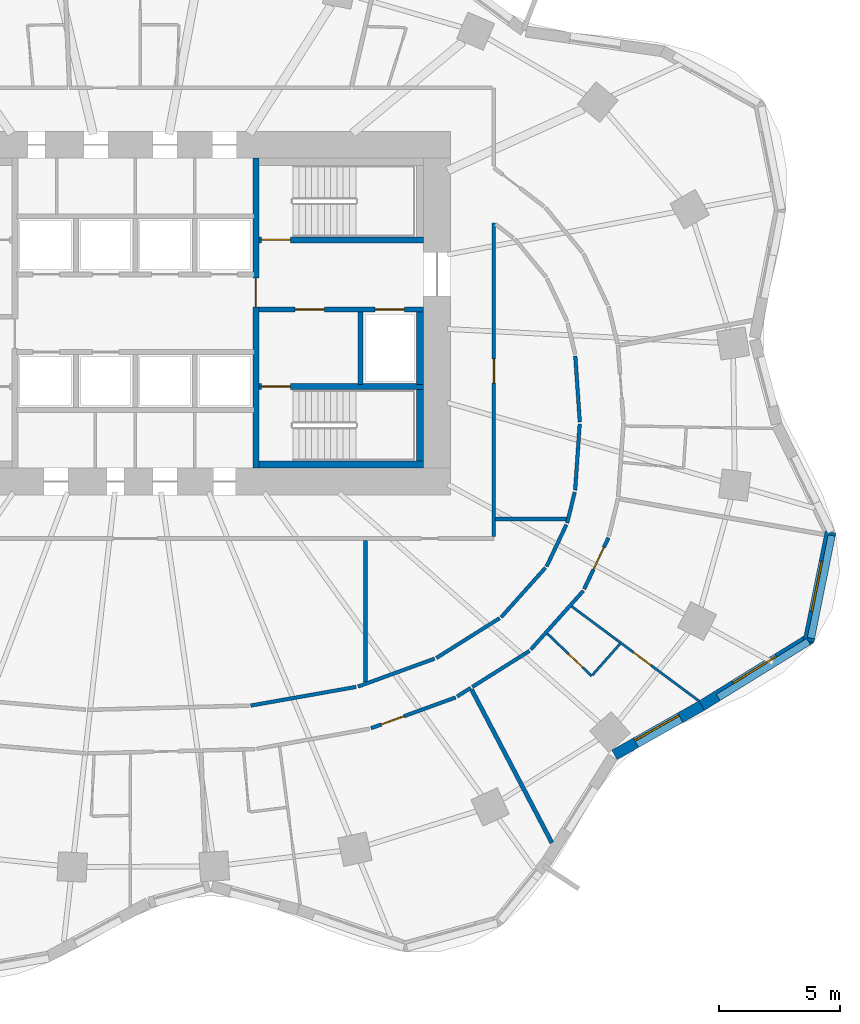
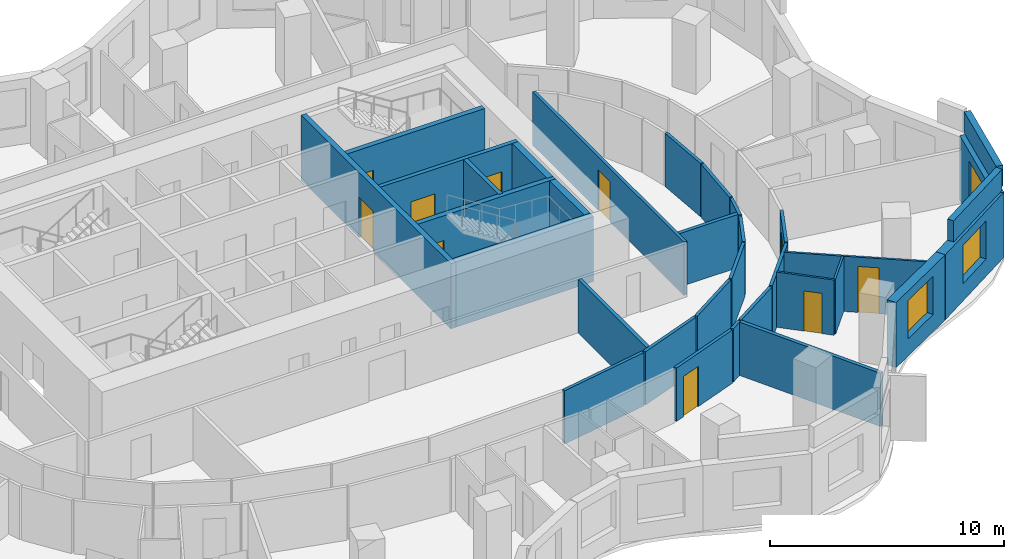
# One storey, part 6 of 10: 33 walls, 10 doors, 3 windows, 13 openings.
"""IFC4 building model written with IfcOpenShell, lengths in metres."""

from ifc_helpers import new_model, si_unit, direction, frame, frame_2d, origin, place, context, subcontext, project, spatial, rectangle, extrude, material, layer, layer_set, type_object, element, fill, save


model = new_model("IFC4")

# Units and contexts
model_context = context("Model", 3, precision=1e-05, world=origin(), true_north=direction((0.0, 1.0)))
body_context = subcontext(model_context, "Body", "Model", "MODEL_VIEW")
ifc_project = project(units=[si_unit("LENGTHUNIT", "METRE"), si_unit("AREAUNIT", "SQUARE_METRE"), si_unit("VOLUMEUNIT", "CUBIC_METRE"), si_unit("PLANEANGLEUNIT", "RADIAN"), si_unit("MASSUNIT", "GRAM", prefix="KILO")], contexts=[model_context])

# Site, building, storey
site_placement = place(None, origin())
site = spatial("IfcSite", under=ifc_project, at=site_placement, CompositionType="ELEMENT")
building_placement = place(site_placement, origin())
building = spatial("IfcBuilding", under=site, at=building_placement, Name="Rubra Terraces Tower", CompositionType="ELEMENT")
storey_placement = place(building_placement, frame((0.0, 0.0, 96.0)))
storey = spatial("IfcBuildingStorey", under=building, at=storey_placement, Name="L22", CompositionType="ELEMENT", Elevation=96.0)

# Walls
ifc_material_1 = material(Name="Twin plasterboard on staggered steel stud, acoustic mineral wool", Category="steel")
ifc_layer_1 = layer(ifc_material_1, 0.175048828125)
ifc_layer_set_1 = layer_set([ifc_layer_1], Name="Twin plasterboard on staggered steel stud, acoustic mineral wool")
wall_type_1 = type_object("IfcWallType", Name="ACOUSTIC PARTY WALL 175", PredefinedType="PARTITIONING", material=ifc_layer_set_1)
wall_1_placement = place(storey_placement, frame((17.19287109375, -17.35986328125, 0.0), z_axis=(0.0, 0.0, 1.0), x_axis=(-0.464005717448, 0.8858322043, 0.0)))
element("IfcWall", 1, at=wall_1_placement, inside=storey, type_object=wall_type_1, Name="PARTITION", PredefinedType="PARTITIONING", context=body_context, shape_type="SweptSolid", body=[
    extrude(rectangle(XDim=7.142578125, YDim=0.175048828125, at=frame_2d((3.5712890625, 0.0))), origin(), (0.0, 0.0, 1.0), 2.783935546875),
])
wall_2_placement = place(storey_placement, frame((9.5, -10.723388671875, 0.0), z_axis=(0.0, 0.0, 1.0), x_axis=(0.0, 1.0, 0.0)))
element("IfcWall", 2, at=wall_2_placement, inside=storey, type_object=wall_type_1, Name="PARTITION", PredefinedType="PARTITIONING", context=body_context, shape_type="SweptSolid", body=[
    extrude(rectangle(XDim=5.848388671875, YDim=0.175048828125, at=frame_2d((2.92431640625, 0.0))), origin(), (0.0, 0.0, 1.0), 2.783935546875),
])
wall_3_placement = place(storey_placement, frame((14.875, -4.0, 0.0), z_axis=(0.0, 0.0, 1.0), x_axis=(1.0, 0.0, 0.0)))
element("IfcWall", 3, at=wall_3_placement, inside=storey, type_object=wall_type_1, Name="PARTITION", PredefinedType="PARTITIONING", context=body_context, shape_type="SweptSolid", body=[
    extrude(rectangle(XDim=2.912109375, YDim=0.175048828125, at=frame_2d((1.4560546875, 0.0))), origin(), (0.0, 0.0, 1.0), 2.783935546875),
])

# Wall, opening, window
ifc_material_2 = material(Name="Brick masonry red-brown", Category="masonry")
ifc_layer_2 = layer(ifc_material_2, 0.449951171875)
ifc_layer_set_2 = layer_set([ifc_layer_2], Name="Brick masonry red-brown")
wall_type_2 = type_object("IfcWallType", Name="Brick facade wall 450", PredefinedType="SOLIDWALL", material=ifc_layer_set_2)
wall_4_placement = place(storey_placement, frame((19.77587890625, -13.730712890625, 0.0), z_axis=(0.0, 0.0, 1.0), x_axis=(0.870610133829, 0.491973571318, 0.0)))
wall_4 = element("IfcWall", 4, at=wall_4_placement, inside=storey, type_object=wall_type_2, Name="Facade wall L22 bay 37", PredefinedType="SOLIDWALL", context=body_context, shape_type="SweptSolid", body=[
    extrude(rectangle(XDim=4.1337890625, YDim=0.449951171875, at=frame_2d((2.06689453125, 0.0))), origin(), (0.0, 0.0, 1.0), 3.39990234375),
])
opening_1_placement = place(wall_4_placement, frame((1.016845703125, 0.0, 0.89990234375)))
opening_1 = element("IfcOpeningElement", 5, at=opening_1_placement, cuts=wall_4, Name="Opening W1", PredefinedType="OPENING", context=body_context, shape_type="SweptSolid", body=[
    extrude(rectangle(XDim=2.10009765625, YDim=2.0, at=frame_2d((1.050048828125, 1.0))), frame((0.0, 0.23486328125, 0.0), z_axis=(0.0, -1.0, 0.0), x_axis=(1.0, 0.0, 0.0)), (0.0, 0.0, 1.0), 0.469970703125),
])
ifc_material_3 = material(Name="Clear glass in aluminium frame", Category="aluminium")
window_type = type_object("IfcWindowType", Name="Fixed deep-set window 2100 x 2000", PartitioningType="SINGLE_PANEL", PredefinedType="WINDOW", material=ifc_material_3)
window_1_placement = place(opening_1_placement, origin())
window_1 = element("IfcWindow", 6, at=window_1_placement, inside=storey, type_object=window_type, Name="Window L22 bay 37", OverallHeight=2.0, OverallWidth=2.10009765625, PartitioningType="SINGLE_PANEL", PredefinedType="WINDOW", context=body_context, shape_type="SweptSolid", body=[
    extrude(rectangle(XDim=2.10009765625, YDim=2.0, at=frame_2d((1.050048828125, 1.0))), frame((0.0, 0.135009765625, 0.0), z_axis=(0.0, -1.0, 0.0), x_axis=(1.0, 0.0, 0.0)), (0.0, 0.0, 1.0), 0.06005859375),
])
fill(opening_1, window_1)

wall_5_placement = place(storey_placement, frame((23.368408203125, -11.700927734375, 0.0), z_axis=(0.0, 0.0, 1.0), x_axis=(0.850251408633, 0.526376806211, 0.0)))
wall_5 = element("IfcWall", 7, at=wall_5_placement, inside=storey, type_object=wall_type_2, Name="Facade wall L22 bay 38", PredefinedType="SOLIDWALL", context=body_context, shape_type="SweptSolid", body=[
    extrude(rectangle(XDim=5.30224609375, YDim=0.449951171875, at=frame_2d((2.651123046875, 0.0))), origin(), (0.0, 0.0, 1.0), 3.39990234375),
])
opening_2_placement = place(wall_5_placement, frame((1.601318359375, 0.0, 0.89990234375)))
opening_2 = element("IfcOpeningElement", 8, at=opening_2_placement, cuts=wall_5, Name="Opening W1", PredefinedType="OPENING", context=body_context, shape_type="SweptSolid", body=[
    extrude(rectangle(XDim=2.10009765625, YDim=2.0, at=frame_2d((1.050048828125, 1.0))), frame((0.0, 0.23486328125, 0.0), z_axis=(0.0, -1.0, 0.0), x_axis=(1.0, 0.0, 0.0)), (0.0, 0.0, 1.0), 0.469970703125),
])
window_2_placement = place(opening_2_placement, origin())
window_2 = element("IfcWindow", 9, at=window_2_placement, inside=storey, type_object=window_type, Name="Window L22 bay 38", OverallHeight=2.0, OverallWidth=2.10009765625, PartitioningType="SINGLE_PANEL", PredefinedType="WINDOW", context=body_context, shape_type="SweptSolid", body=[
    extrude(rectangle(XDim=2.10009765625, YDim=2.0, at=frame_2d((1.050048828125, 1.0))), frame((0.0, 0.135009765625, 0.0), z_axis=(0.0, -1.0, 0.0), x_axis=(1.0, 0.0, 0.0)), (0.0, 0.0, 1.0), 0.06005859375),
])
fill(opening_2, window_2)

wall_6_placement = place(storey_placement, frame((27.779541015625, -9.053466796875, 0.0), z_axis=(0.0, 0.0, 1.0), x_axis=(0.197796229105, 0.980243159503, 0.0)))
wall_6 = element("IfcWall", 10, at=wall_6_placement, inside=storey, type_object=wall_type_2, Name="Facade wall L22 bay 39", PredefinedType="SOLIDWALL", context=body_context, shape_type="SweptSolid", body=[
    extrude(rectangle(XDim=4.610107421875, YDim=0.449951171875, at=frame_2d((2.30517578125, 0.0))), origin(), (0.0, 0.0, 1.0), 3.39990234375),
])
opening_3_placement = place(wall_6_placement, frame((1.255126953125, 0.0, 0.89990234375)))
opening_3 = element("IfcOpeningElement", 11, at=opening_3_placement, cuts=wall_6, Name="Opening W1", PredefinedType="OPENING", context=body_context, shape_type="SweptSolid", body=[
    extrude(rectangle(XDim=2.10009765625, YDim=2.0, at=frame_2d((1.050048828125, 1.0))), frame((0.0, 0.23486328125, 0.0), z_axis=(0.0, -1.0, 0.0), x_axis=(1.0, 0.0, 0.0)), (0.0, 0.0, 1.0), 0.469970703125),
])
window_3_placement = place(opening_3_placement, origin())
window_3 = element("IfcWindow", 12, at=window_3_placement, inside=storey, type_object=window_type, Name="Window L22 bay 39", OverallHeight=2.0, OverallWidth=2.10009765625, PartitioningType="SINGLE_PANEL", PredefinedType="WINDOW", context=body_context, shape_type="SweptSolid", body=[
    extrude(rectangle(XDim=2.10009765625, YDim=2.0, at=frame_2d((1.050048828125, 1.0))), frame((0.0, 0.135009765625, 0.0), z_axis=(0.0, -1.0, 0.0), x_axis=(1.0, 0.0, 0.0)), (0.0, 0.0, 1.0), 0.06005859375),
])
fill(opening_3, window_3)

# Walls
ifc_layer_3 = layer(ifc_material_2, 0.300048828125)
ifc_layer_set_3 = layer_set([ifc_layer_3], Name="Brick masonry red-brown")
wall_type_3 = type_object("IfcWallType", Name="Brick parapet 300", PredefinedType="PARAPET", material=ifc_layer_set_3)
wall_7_placement = place(storey_placement, frame((24.05712890625, -11.36279296875, 3.60009765625), z_axis=(0.0, 0.0, 1.0), x_axis=(0.85023666639, 0.526400618471, 0.0)))
element("IfcWall", 13, at=wall_7_placement, inside=storey, type_object=wall_type_3, Name="Parapet L22 bay 38", PredefinedType="PARAPET", context=body_context, shape_type="SweptSolid", body=[
    extrude(rectangle(XDim=4.384765625, YDim=0.300048828125, at=frame_2d((2.1923828125, 0.0))), origin(), (0.0, 0.0, 1.0), 1.099853515625),
])
wall_8_placement = place(storey_placement, frame((27.884521484375, -8.91162109375, 3.60009765625), z_axis=(0.0, 0.0, 1.0), x_axis=(0.197855213088, 0.980231255701, 0.0)))
element("IfcWall", 14, at=wall_8_placement, inside=storey, type_object=wall_type_3, Name="Parapet L22 bay 39", PredefinedType="PARAPET", context=body_context, shape_type="SweptSolid", body=[
    extrude(rectangle(XDim=4.31884765625, YDim=0.300048828125, at=frame_2d((2.159423828125, 0.0))), origin(), (0.0, 0.0, 1.0), 1.099853515625),
])

# Wall, opening, door
ifc_material_4 = material(Name="Plasterboard on steel stud, mineral wool infill", Category="steel")
ifc_layer_4 = layer(ifc_material_4, 0.14990234375)
ifc_layer_set_4 = layer_set([ifc_layer_4], Name="Plasterboard on steel stud, mineral wool infill")
wall_type_4 = type_object("IfcWallType", Name="CORRIDOR PARTITION 150", PredefinedType="PARTITIONING", material=ifc_layer_set_4)
wall_9_placement = place(storey_placement, frame((9.7275390625, -12.631103515625, 0.0), z_axis=(0.0, 0.0, 1.0), x_axis=(0.939626438181, 0.342201923826, 0.0)))
wall_9 = element("IfcWall", 15, at=wall_9_placement, inside=storey, type_object=wall_type_4, Name="PARTITION", PredefinedType="PARTITIONING", context=body_context, shape_type="SweptSolid", body=[
    extrude(rectangle(XDim=3.71630859375, YDim=0.14990234375, at=frame_2d((1.858154296875, 0.0))), origin(), (0.0, 0.0, 1.0), 2.783935546875),
])
opening_4_placement = place(wall_9_placement, frame((0.449951171875, 0.0, 0.0)))
opening_4 = element("IfcOpeningElement", 16, at=opening_4_placement, cuts=wall_9, Name="Opening 22-120", PredefinedType="OPENING", context=body_context, shape_type="SweptSolid", body=[
    extrude(rectangle(XDim=1.0, YDim=2.10009765625, at=frame_2d((0.5, 1.050048828125))), frame((0.0, 0.0849609375, 0.0), z_axis=(0.0, -1.0, 0.0), x_axis=(1.0, 0.0, 0.0)), (0.0, 0.0, 1.0), 0.169921875),
])
ifc_material_5 = material(Name="Painted timber door leaf", Category="wood")
door_type_1 = type_object("IfcDoorType", Name="ROOM DOOR 1000 X 2100", OperationType="SINGLE_SWING_LEFT", PredefinedType="DOOR", material=ifc_material_5)
door_1_placement = place(opening_4_placement, origin())
door_1 = element("IfcDoor", 17, at=door_1_placement, inside=storey, type_object=door_type_1, Name="DOOR 22-120", OperationType="SINGLE_SWING_RIGHT", OverallHeight=2.10009765625, OverallWidth=1.0, PredefinedType="DOOR", context=body_context, shape_type="SweptSolid", body=[
    extrude(rectangle(XDim=1.0, YDim=2.10009765625, at=frame_2d((0.5, 1.050048828125))), frame((0.0, 0.02490234375, 0.0), z_axis=(0.0, -1.0, 0.0), x_axis=(1.0, 0.0, 0.0)), (0.0, 0.0, 1.0), 0.050048828125),
])
fill(opening_4, door_1)

# Walls
wall_10_placement = place(storey_placement, frame((13.282958984375, -11.3193359375, 0.0), z_axis=(0.0, 0.0, 1.0), x_axis=(0.846275904875, 0.532744866543, 0.0)))
element("IfcWall", 18, at=wall_10_placement, inside=storey, type_object=wall_type_4, Name="PARTITION", PredefinedType="PARTITIONING", context=body_context, shape_type="SweptSolid", body=[
    extrude(rectangle(XDim=0.66259765625, YDim=0.14990234375, at=frame_2d((0.331298828125, 0.0))), origin(), (0.0, 0.0, 1.0), 2.783935546875),
])
wall_11_placement = place(storey_placement, frame((13.9072265625, -10.926513671875, 0.0), z_axis=(0.0, 0.0, 1.0), x_axis=(0.846289768331, 0.53272284353, 0.0)))
element("IfcWall", 19, at=wall_11_placement, inside=storey, type_object=wall_type_4, Name="PARTITION", PredefinedType="PARTITIONING", context=body_context, shape_type="SweptSolid", body=[
    extrude(rectangle(XDim=2.792724609375, YDim=0.14990234375, at=frame_2d((1.396484375, 0.0))), origin(), (0.0, 0.0, 1.0), 2.783935546875),
])
wall_12_placement = place(storey_placement, frame((16.32080078125, -9.3828125, 0.0), z_axis=(0.0, 0.0, 1.0), x_axis=(0.666834356165, 0.745205972492, 0.0)))
element("IfcWall", 20, at=wall_12_placement, inside=storey, type_object=wall_type_4, Name="PARTITION", PredefinedType="PARTITIONING", context=body_context, shape_type="SweptSolid", body=[
    extrude(rectangle(XDim=3.252197265625, YDim=0.14990234375, at=frame_2d((1.6259765625, 0.0))), origin(), (0.0, 0.0, 1.0), 2.783935546875),
])

# Wall, opening, door
wall_13_placement = place(storey_placement, frame((18.521728515625, -6.891357421875, 0.0), z_axis=(0.0, 0.0, 1.0), x_axis=(0.428157819028, 0.903703979191, 0.0)))
wall_13 = element("IfcWall", 21, at=wall_13_placement, inside=storey, type_object=wall_type_4, Name="PARTITION", PredefinedType="PARTITIONING", context=body_context, shape_type="SweptSolid", body=[
    extrude(rectangle(XDim=2.349365234375, YDim=0.14990234375, at=frame_2d((1.1748046875, 0.0))), origin(), (0.0, 0.0, 1.0), 2.783935546875),
])
opening_5_placement = place(wall_13_placement, frame((0.89990234375, 0.0, 0.0)))
opening_5 = element("IfcOpeningElement", 22, at=opening_5_placement, cuts=wall_13, Name="Opening 22-123", PredefinedType="OPENING", context=body_context, shape_type="SweptSolid", body=[
    extrude(rectangle(XDim=1.0, YDim=2.10009765625, at=frame_2d((0.5, 1.050048828125))), frame((0.0, 0.0849609375, 0.0), z_axis=(0.0, -1.0, 0.0), x_axis=(1.0, 0.0, 0.0)), (0.0, 0.0, 1.0), 0.169921875),
])
door_2_placement = place(opening_5_placement, origin())
door_2 = element("IfcDoor", 23, at=door_2_placement, inside=storey, type_object=door_type_1, Name="DOOR 22-123", OperationType="SINGLE_SWING_RIGHT", OverallHeight=2.10009765625, OverallWidth=1.0, PredefinedType="DOOR", context=body_context, shape_type="SweptSolid", body=[
    extrude(rectangle(XDim=1.0, YDim=2.10009765625, at=frame_2d((0.5, 1.050048828125))), frame((0.0, 0.02490234375, 0.0), z_axis=(0.0, -1.0, 0.0), x_axis=(1.0, 0.0, 0.0)), (0.0, 0.0, 1.0), 0.050048828125),
])
fill(opening_5, door_2)

# Walls
for number, where, z_axis, x_axis, name in (
    (24, (18.157470703125, 2.734130859375, 0.0), (0.0, 0.0, 1.0), (0.068328193832, -0.997662897941, 0.0), "PARTITION"),
    (25, (18.339599609375, -0.07470703125, 0.0), (0.0, 0.0, 1.0), (-0.068328193832, -0.997662897941, 0.0), "PARTITION"),
):
    element("IfcWall", number, at=place(storey_placement, frame(where, z_axis=z_axis, x_axis=x_axis)), inside=storey, type_object=wall_type_4, Name=name, PredefinedType="PARTITIONING", context=body_context, shape_type="SweptSolid", body=[
        extrude(rectangle(XDim=2.740478515625, YDim=0.14990234375, at=frame_2d((1.3701171875, 0.0))), origin(), (0.0, 0.0, 1.0), 2.783935546875),
    ])
wall_14_placement = place(storey_placement, frame((18.134521484375, -2.8818359375, 0.0), z_axis=(0.0, 0.0, 1.0), x_axis=(-0.236653741324, -0.971594054489, 0.0)))
element("IfcWall", 26, at=wall_14_placement, inside=storey, type_object=wall_type_4, Name="PARTITION", PredefinedType="PARTITIONING", context=body_context, shape_type="SweptSolid", body=[
    extrude(rectangle(XDim=1.319580078125, YDim=0.14990234375, at=frame_2d((0.65966796875, 0.0))), origin(), (0.0, 0.0, 1.0), 2.783935546875),
])
wall_15_placement = place(storey_placement, frame((17.7900390625, -4.2314453125, 0.0), z_axis=(0.0, 0.0, 1.0), x_axis=(-0.428042272357, -0.90375871397, 0.0)))
element("IfcWall", 27, at=wall_15_placement, inside=storey, type_object=wall_type_4, Name="PARTITION", PredefinedType="PARTITIONING", context=body_context, shape_type="SweptSolid", body=[
    extrude(rectangle(XDim=1.905029296875, YDim=0.14990234375, at=frame_2d((0.95263671875, 0.0))), origin(), (0.0, 0.0, 1.0), 2.783935546875),
])
wall_16_placement = place(storey_placement, frame((16.924560546875, -6.009033203125, 0.0), z_axis=(0.0, 0.0, 1.0), x_axis=(-0.666893859891, -0.745152722359, 0.0)))
element("IfcWall", 28, at=wall_16_placement, inside=storey, type_object=wall_type_4, Name="PARTITION", PredefinedType="PARTITIONING", context=body_context, shape_type="SweptSolid", body=[
    extrude(rectangle(XDim=2.739013671875, YDim=0.14990234375, at=frame_2d((1.36962890625, 0.0))), origin(), (0.0, 0.0, 1.0), 2.783935546875),
])
wall_17_placement = place(storey_placement, frame((15.034423828125, -8.090087890625, 0.0), z_axis=(0.0, 0.0, 1.0), x_axis=(-0.846322679414, -0.532670557014, 0.0)))
element("IfcWall", 29, at=wall_17_placement, inside=storey, type_object=wall_type_4, Name="PARTITION", PredefinedType="PARTITIONING", context=body_context, shape_type="SweptSolid", body=[
    extrude(rectangle(XDim=3.08544921875, YDim=0.14990234375, at=frame_2d((1.542724609375, 0.0))), origin(), (0.0, 0.0, 1.0), 2.783935546875),
])
wall_18_placement = place(storey_placement, frame((12.3525390625, -9.759521484375, 0.0), z_axis=(0.0, 0.0, 1.0), x_axis=(-0.939632450309, -0.342185415127, 0.0)))
element("IfcWall", 30, at=wall_18_placement, inside=storey, type_object=wall_type_4, Name="PARTITION", PredefinedType="PARTITIONING", context=body_context, shape_type="SweptSolid", body=[
    extrude(rectangle(XDim=3.36767578125, YDim=0.14990234375, at=frame_2d((1.683837890625, 0.0))), origin(), (0.0, 0.0, 1.0), 2.783935546875),
])
wall_19_placement = place(storey_placement, frame((9.114501953125, -10.925048828125, 0.0), z_axis=(0.0, 0.0, 1.0), x_axis=(-0.984632605417, -0.174638576352, 0.0)))
element("IfcWall", 31, at=wall_19_placement, inside=storey, type_object=wall_type_4, Name="PARTITION", PredefinedType="PARTITIONING", context=body_context, shape_type="SweptSolid", body=[
    extrude(rectangle(XDim=4.423095703125, YDim=0.14990234375, at=frame_2d((2.21142578125, 0.0))), origin(), (0.0, 0.0, 1.0), 2.783935546875),
])

# Wall, opening, door
wall_20_placement = place(storey_placement, frame((14.800048828125, -4.72509765625, 0.0), z_axis=(0.0, 0.0, 1.0), x_axis=(0.0, 1.0, 0.0)))
wall_20 = element("IfcWall", 32, at=wall_20_placement, inside=storey, type_object=wall_type_4, Name="PARTITION", PredefinedType="PARTITIONING", context=body_context, shape_type="SweptSolid", body=[
    extrude(rectangle(XDim=12.947998046875, YDim=0.14990234375, at=frame_2d((6.47412109375, 0.0))), origin(), (0.0, 0.0, 1.0), 2.783935546875),
])
opening_6_placement = place(wall_20_placement, frame((6.3359375, 0.0, 0.0)))
opening_6 = element("IfcOpeningElement", 33, at=opening_6_placement, cuts=wall_20, Name="Opening 22-133", PredefinedType="OPENING", context=body_context, shape_type="SweptSolid", body=[
    extrude(rectangle(XDim=1.0, YDim=2.10009765625, at=frame_2d((0.5, 1.050048828125))), frame((0.0, 0.0849609375, 0.0), z_axis=(0.0, -1.0, 0.0), x_axis=(1.0, 0.0, 0.0)), (0.0, 0.0, 1.0), 0.169921875),
])
door_3_placement = place(opening_6_placement, origin())
door_3 = element("IfcDoor", 34, at=door_3_placement, inside=storey, type_object=door_type_1, Name="DOOR 22-133", OperationType="SINGLE_SWING_RIGHT", OverallHeight=2.10009765625, OverallWidth=1.0, PredefinedType="DOOR", context=body_context, shape_type="SweptSolid", body=[
    extrude(rectangle(XDim=1.0, YDim=2.10009765625, at=frame_2d((0.5, 1.050048828125))), frame((0.0, 0.02490234375, 0.0), z_axis=(0.0, -1.0, 0.0), x_axis=(1.0, 0.0, 0.0)), (0.0, 0.0, 1.0), 0.050048828125),
])
fill(opening_6, door_3)

# Walls
ifc_material_6 = material(Name="Concrete C40", Category="concrete")
ifc_layer_5 = layer(ifc_material_6, 0.300048828125)
ifc_layer_set_5 = layer_set([ifc_layer_5], Name="Concrete C40")
wall_type_5 = type_object("IfcWallType", Name="Core lining wall 300 concrete", PredefinedType="SOLIDWALL", material=ifc_layer_set_5)
wall_21_placement = place(storey_placement, frame((11.75, 4.550048828125, 0.0), z_axis=(0.0, 0.0, 1.0), x_axis=(0.0, -1.0, 0.0)))
element("IfcWall", 35, at=wall_21_placement, inside=storey, type_object=wall_type_5, Name="CORE LINING WALL L22", PredefinedType="SOLIDWALL", context=body_context, shape_type="SweptSolid", body=[
    extrude(rectangle(XDim=3.0, YDim=0.300048828125, at=frame_2d((1.5, 0.0))), origin(), (0.0, 0.0, 1.0), 3.39990234375),
])
wall_22_placement = place(storey_placement, frame((11.75, 1.35009765625, 0.0), z_axis=(0.0, 0.0, 1.0), x_axis=(0.0, -1.0, 0.0)))
element("IfcWall", 36, at=wall_22_placement, inside=storey, type_object=wall_type_5, Name="CORE LINING WALL L22", PredefinedType="SOLIDWALL", context=body_context, shape_type="SweptSolid", body=[
    extrude(rectangle(XDim=2.9501953125, YDim=0.300048828125, at=frame_2d((1.47509765625, 0.0))), origin(), (0.0, 0.0, 1.0), 3.39990234375),
])
wall_23_placement = place(storey_placement, frame((11.89990234375, -1.75, 0.0), z_axis=(0.0, 0.0, 1.0), x_axis=(-1.0, 0.0, 0.0)))
element("IfcWall", 37, at=wall_23_placement, inside=storey, type_object=wall_type_5, Name="CORE LINING WALL L22", PredefinedType="SOLIDWALL", context=body_context, shape_type="SweptSolid", body=[
    extrude(rectangle(XDim=6.7998046875, YDim=0.300048828125, at=frame_2d((3.39990234375, 0.0))), origin(), (0.0, 0.0, 1.0), 3.39990234375),
])

# Wall, openings, doors
ifc_material_7 = material(Name="Concrete C30", Category="concrete")
ifc_layer_6 = layer(ifc_material_7, 0.199951171875)
ifc_layer_set_6 = layer_set([ifc_layer_6], Name="Concrete C30")
wall_type_6 = type_object("IfcWallType", Name="Core wall 200 concrete", PredefinedType="SOLIDWALL", material=ifc_layer_set_6)
wall_24_placement = place(storey_placement, frame((11.89990234375, 4.64990234375, 0.0), z_axis=(0.0, 0.0, 1.0), x_axis=(-1.0, 0.0, 0.0)))
wall_24 = element("IfcWall", 38, at=wall_24_placement, inside=storey, type_object=wall_type_6, Name="STAIR WALL L22", PredefinedType="SOLIDWALL", context=body_context, shape_type="SweptSolid", body=[
    extrude(rectangle(XDim=6.7998046875, YDim=0.199951171875, at=frame_2d((3.39990234375, 0.0))), origin(), (0.0, 0.0, 1.0), 3.39990234375),
])
opening_7_placement = place(wall_24_placement, frame((4.10009765625, 0.0, 0.0)))
opening_7 = element("IfcOpeningElement", 39, at=opening_7_placement, cuts=wall_24, Name="Opening L22.C06", PredefinedType="OPENING", context=body_context, shape_type="SweptSolid", body=[
    extrude(rectangle(XDim=1.199951171875, YDim=2.10009765625, at=frame_2d((0.60009765625, 1.050048828125))), frame((0.0, 0.10986328125, 0.0), z_axis=(0.0, -1.0, 0.0), x_axis=(1.0, 0.0, 0.0)), (0.0, 0.0, 1.0), 0.219970703125),
])
opening_8_placement = place(wall_24_placement, frame((0.800048828125, 0.0, 0.0)))
opening_8 = element("IfcOpeningElement", 40, at=opening_8_placement, cuts=wall_24, Name="Opening L22.C12", PredefinedType="OPENING", context=body_context, shape_type="SweptSolid", body=[
    extrude(rectangle(XDim=1.199951171875, YDim=2.10009765625, at=frame_2d((0.60009765625, 1.050048828125))), frame((0.0, 0.10986328125, 0.0), z_axis=(0.0, -1.0, 0.0), x_axis=(1.0, 0.0, 0.0)), (0.0, 0.0, 1.0), 0.219970703125),
])
ifc_material_8 = material(Name="Painted steel", Category="steel")
door_type_2 = type_object("IfcDoorType", Name="Fire door 1200x2100 single", OperationType="NOTDEFINED", PredefinedType="DOOR", material=ifc_material_8)
door_4_placement = place(opening_7_placement, origin())
door_4 = element("IfcDoor", 41, at=door_4_placement, inside=storey, type_object=door_type_2, Name="Stair vestibule door S4", OperationType="SINGLE_SWING_RIGHT", OverallHeight=2.10009765625, OverallWidth=1.199951171875, PredefinedType="DOOR", context=body_context, shape_type="SweptSolid", body=[
    extrude(rectangle(XDim=1.199951171875, YDim=2.10009765625, at=frame_2d((0.60009765625, 1.050048828125))), frame((0.0, 0.02490234375, 0.0), z_axis=(0.0, -1.0, 0.0), x_axis=(1.0, 0.0, 0.0)), (0.0, 0.0, 1.0), 0.050048828125),
])
fill(opening_7, door_4)
ifc_material_9 = material(Name="Stainless steel", Category="steel")
door_type_3 = type_object("IfcDoorType", Name="Lift landing door 1200x2100", OperationType="NOTDEFINED", PredefinedType="DOOR", material=ifc_material_9)
door_5_placement = place(opening_8_placement, origin())
door_5 = element("IfcDoor", 42, at=door_5_placement, inside=storey, type_object=door_type_3, Name="Landing door FF2", OperationType="SLIDING_TO_RIGHT", OverallHeight=2.10009765625, OverallWidth=1.199951171875, PredefinedType="DOOR", context=body_context, shape_type="SweptSolid", body=[
    extrude(rectangle(XDim=1.199951171875, YDim=2.10009765625, at=frame_2d((0.60009765625, 1.050048828125))), frame((0.0, 0.02490234375, 0.0), z_axis=(0.0, -1.0, 0.0), x_axis=(1.0, 0.0, 0.0)), (0.0, 0.0, 1.0), 0.050048828125),
])
fill(opening_8, door_5)

# Wall
wall_25_placement = place(storey_placement, frame((9.300048828125, 4.550048828125, 0.0), z_axis=(0.0, 0.0, 1.0), x_axis=(0.0, -1.0, 0.0)))
element("IfcWall", 43, at=wall_25_placement, inside=storey, type_object=wall_type_6, Name="STAIR WALL L22", PredefinedType="SOLIDWALL", context=body_context, shape_type="SweptSolid", body=[
    extrude(rectangle(XDim=3.0, YDim=0.199951171875, at=frame_2d((1.5, 0.0))), origin(), (0.0, 0.0, 1.0), 3.39990234375),
])

# Wall, opening, door
ifc_material_10 = material(Name="Plasterboard on steel stud", Category="steel")
ifc_layer_7 = layer(ifc_material_10, 0.10009765625)
ifc_layer_set_7 = layer_set([ifc_layer_7], Name="Plasterboard on steel stud")
wall_type_7 = type_object("IfcWallType", Name="ROOM PARTITION 100", PredefinedType="PARTITIONING", material=ifc_layer_set_7)
wall_26_placement = place(storey_placement, frame((23.256103515625, -11.501220703125, 0.0), z_axis=(0.0, 0.0, 1.0), x_axis=(-0.802700401869, 0.596382482003, 0.0)))
wall_26 = element("IfcWall", 44, at=wall_26_placement, inside=storey, type_object=wall_type_7, Name="PARTITION", PredefinedType="PARTITIONING", context=body_context, shape_type="SweptSolid", body=[
    extrude(rectangle(XDim=6.533203125, YDim=0.10009765625, at=frame_2d((3.2666015625, 0.0))), origin(), (0.0, 0.0, 1.0), 2.884033203125),
])
opening_9_placement = place(wall_26_placement, frame((2.4580078125, 0.0, 0.0)))
opening_9 = element("IfcOpeningElement", 45, at=opening_9_placement, cuts=wall_26, Name="Opening 22-122", PredefinedType="OPENING", context=body_context, shape_type="SweptSolid", body=[
    extrude(rectangle(XDim=0.89990234375, YDim=2.39990234375, at=frame_2d((0.449951171875, 1.199951171875))), frame((0.0, 0.06005859375, 0.0), z_axis=(0.0, -1.0, 0.0), x_axis=(1.0, 0.0, 0.0)), (0.0, 0.0, 1.0), 0.1201171875),
])
ifc_material_11 = material(Name="Veneered timber door leaf, fire-rated", Category="wood")
door_type_4 = type_object("IfcDoorType", Name="SUITE ENTRANCE DOOR 900 X 2400", OperationType="SINGLE_SWING_LEFT", PredefinedType="DOOR", material=ifc_material_11)
door_6_placement = place(opening_9_placement, origin())
door_6 = element("IfcDoor", 46, at=door_6_placement, inside=storey, type_object=door_type_4, Name="DOOR 22-122", OperationType="SINGLE_SWING_LEFT", OverallHeight=2.39990234375, OverallWidth=0.89990234375, PredefinedType="DOOR", context=body_context, shape_type="SweptSolid", body=[
    extrude(rectangle(XDim=0.89990234375, YDim=2.39990234375, at=frame_2d((0.449951171875, 1.199951171875))), frame((0.0, 0.02490234375, 0.0), z_axis=(0.0, -1.0, 0.0), x_axis=(1.0, 0.0, 0.0)), (0.0, 0.0, 1.0), 0.050048828125),
])
fill(opening_9, door_6)

wall_27_placement = place(storey_placement, frame((17.005859375, -8.729736328125, 0.0), z_axis=(0.0, 0.0, 1.0), x_axis=(0.722927369978, -0.690924031813, 0.0)))
wall_27 = element("IfcWall", 47, at=wall_27_placement, inside=storey, type_object=wall_type_7, Name="PARTITION", PredefinedType="PARTITIONING", context=body_context, shape_type="SweptSolid", body=[
    extrude(rectangle(XDim=2.525146484375, YDim=0.10009765625, at=frame_2d((1.2626953125, 0.0))), origin(), (0.0, 0.0, 1.0), 2.884033203125),
])
opening_10_placement = place(wall_27_placement, frame((1.199951171875, 0.0, 0.0)))
opening_10 = element("IfcOpeningElement", 48, at=opening_10_placement, cuts=wall_27, Name="Opening 22-121", PredefinedType="OPENING", context=body_context, shape_type="SweptSolid", body=[
    extrude(rectangle(XDim=0.800048828125, YDim=2.10009765625, at=frame_2d((0.39990234375, 1.050048828125))), frame((0.0, 0.06005859375, 0.0), z_axis=(0.0, -1.0, 0.0), x_axis=(1.0, 0.0, 0.0)), (0.0, 0.0, 1.0), 0.1201171875),
])
door_type_5 = type_object("IfcDoorType", Name="BATHROOM DOOR 800 X 2100", OperationType="SINGLE_SWING_LEFT", PredefinedType="DOOR", material=ifc_material_5)
door_7_placement = place(opening_10_placement, origin())
door_7 = element("IfcDoor", 49, at=door_7_placement, inside=storey, type_object=door_type_5, Name="DOOR 22-121", OperationType="SINGLE_SWING_LEFT", OverallHeight=2.10009765625, OverallWidth=0.800048828125, PredefinedType="DOOR", context=body_context, shape_type="SweptSolid", body=[
    extrude(rectangle(XDim=0.800048828125, YDim=2.10009765625, at=frame_2d((0.39990234375, 1.050048828125))), frame((0.0, 0.02490234375, 0.0), z_axis=(0.0, -1.0, 0.0), x_axis=(1.0, 0.0, 0.0)), (0.0, 0.0, 1.0), 0.050048828125),
])
fill(opening_10, door_7)

# Wall
wall_28_placement = place(storey_placement, frame((18.864501953125, -10.43701171875, 0.0), z_axis=(0.0, 0.0, 1.0), x_axis=(0.662901257744, 0.748706833468, 0.0)))
element("IfcWall", 50, at=wall_28_placement, inside=storey, type_object=wall_type_7, Name="PARTITION", PredefinedType="PARTITIONING", context=body_context, shape_type="SweptSolid", body=[
    extrude(rectangle(XDim=1.721435546875, YDim=0.10009765625, at=frame_2d((0.86083984375, 0.0))), origin(), (0.0, 0.0, 1.0), 2.884033203125),
])

# Wall, opening, door
ifc_layer_8 = layer(ifc_material_6, 0.25)
ifc_layer_set_8 = layer_set([ifc_layer_8], Name="Concrete C40")
wall_type_8 = type_object("IfcWallType", Name="Stair enclosure wall 250 concrete", PredefinedType="SOLIDWALL", material=ifc_layer_set_8)
wall_29_placement = place(storey_placement, frame((11.89990234375, 7.52490234375, 0.0), z_axis=(0.0, 0.0, 1.0), x_axis=(-1.0, 0.0, 0.0)))
wall_29 = element("IfcWall", 51, at=wall_29_placement, inside=storey, type_object=wall_type_8, Name="STAIR WALL L22", PredefinedType="SOLIDWALL", context=body_context, shape_type="SweptSolid", body=[
    extrude(rectangle(XDim=6.7998046875, YDim=0.25, at=frame_2d((3.39990234375, 0.0))), origin(), (0.0, 0.0, 1.0), 3.39990234375),
])
opening_11_placement = place(wall_29_placement, frame((5.5, 0.0, 0.0)))
opening_11 = element("IfcOpeningElement", 52, at=opening_11_placement, cuts=wall_29, Name="Opening L22.C08", PredefinedType="OPENING", context=body_context, shape_type="SweptSolid", body=[
    extrude(rectangle(XDim=1.199951171875, YDim=2.10009765625, at=frame_2d((0.60009765625, 1.050048828125))), frame((0.0, 0.135009765625, 0.0), z_axis=(0.0, -1.0, 0.0), x_axis=(1.0, 0.0, 0.0)), (0.0, 0.0, 1.0), 0.27001953125),
])
door_8_placement = place(opening_11_placement, origin())
door_8 = element("IfcDoor", 53, at=door_8_placement, inside=storey, type_object=door_type_2, Name="Stair door S3", OperationType="SINGLE_SWING_RIGHT", OverallHeight=2.10009765625, OverallWidth=1.199951171875, PredefinedType="DOOR", context=body_context, shape_type="SweptSolid", body=[
    extrude(rectangle(XDim=1.199951171875, YDim=2.10009765625, at=frame_2d((0.60009765625, 1.050048828125))), frame((0.0, 0.02490234375, 0.0), z_axis=(0.0, -1.0, 0.0), x_axis=(1.0, 0.0, 0.0)), (0.0, 0.0, 1.0), 0.050048828125),
])
fill(opening_11, door_8)

wall_30_placement = place(storey_placement, frame((11.89990234375, 1.47509765625, 0.0), z_axis=(0.0, 0.0, 1.0), x_axis=(-1.0, 0.0, 0.0)))
wall_30 = element("IfcWall", 54, at=wall_30_placement, inside=storey, type_object=wall_type_8, Name="STAIR WALL L22", PredefinedType="SOLIDWALL", context=body_context, shape_type="SweptSolid", body=[
    extrude(rectangle(XDim=6.7998046875, YDim=0.25, at=frame_2d((3.39990234375, 0.0))), origin(), (0.0, 0.0, 1.0), 3.39990234375),
])
opening_12_placement = place(wall_30_placement, frame((5.5, 0.0, 0.0)))
opening_12 = element("IfcOpeningElement", 55, at=opening_12_placement, cuts=wall_30, Name="Opening L22.C10", PredefinedType="OPENING", context=body_context, shape_type="SweptSolid", body=[
    extrude(rectangle(XDim=1.199951171875, YDim=2.10009765625, at=frame_2d((0.60009765625, 1.050048828125))), frame((0.0, 0.135009765625, 0.0), z_axis=(0.0, -1.0, 0.0), x_axis=(1.0, 0.0, 0.0)), (0.0, 0.0, 1.0), 0.27001953125),
])
door_9_placement = place(opening_12_placement, origin())
door_9 = element("IfcDoor", 56, at=door_9_placement, inside=storey, type_object=door_type_2, Name="Stair door S4", OperationType="SINGLE_SWING_RIGHT", OverallHeight=2.10009765625, OverallWidth=1.199951171875, PredefinedType="DOOR", context=body_context, shape_type="SweptSolid", body=[
    extrude(rectangle(XDim=1.199951171875, YDim=2.10009765625, at=frame_2d((0.60009765625, 1.050048828125))), frame((0.0, 0.02490234375, 0.0), z_axis=(0.0, -1.0, 0.0), x_axis=(1.0, 0.0, 0.0)), (0.0, 0.0, 1.0), 0.050048828125),
])
fill(opening_12, door_9)

wall_31_placement = place(storey_placement, frame((4.97509765625, 10.89990234375, 0.0), z_axis=(0.0, 0.0, 1.0), x_axis=(0.0, -1.0, 0.0)))
wall_31 = element("IfcWall", 57, at=wall_31_placement, inside=storey, type_object=wall_type_8, Name="CORE LOBBY WALL L22", PredefinedType="SOLIDWALL", context=body_context, shape_type="SweptSolid", body=[
    extrude(rectangle(XDim=12.7998046875, YDim=0.25, at=frame_2d((6.39990234375, 0.0))), origin(), (0.0, 0.0, 1.0), 3.39990234375),
])
opening_13_placement = place(wall_31_placement, frame((4.949951171875, 0.0, 0.0)))
opening_13 = element("IfcOpeningElement", 58, at=opening_13_placement, cuts=wall_31, Name="Opening L22.C04", PredefinedType="OPENING", context=body_context, shape_type="SweptSolid", body=[
    extrude(rectangle(XDim=1.199951171875, YDim=2.10009765625, at=frame_2d((0.60009765625, 1.050048828125))), frame((0.0, 0.135009765625, 0.0), z_axis=(0.0, -1.0, 0.0), x_axis=(1.0, 0.0, 0.0)), (0.0, 0.0, 1.0), 0.27001953125),
])
door_10_placement = place(opening_13_placement, origin())
door_10 = element("IfcDoor", 59, at=door_10_placement, inside=storey, type_object=door_type_2, Name="Firefighting lobby door FF2", OperationType="SINGLE_SWING_RIGHT", OverallHeight=2.10009765625, OverallWidth=1.199951171875, PredefinedType="DOOR", context=body_context, shape_type="SweptSolid", body=[
    extrude(rectangle(XDim=1.199951171875, YDim=2.10009765625, at=frame_2d((0.60009765625, 1.050048828125))), frame((0.0, 0.02490234375, 0.0), z_axis=(0.0, -1.0, 0.0), x_axis=(1.0, 0.0, 0.0)), (0.0, 0.0, 1.0), 0.050048828125),
])
fill(opening_13, door_10)

save(model, "model.ifc")
